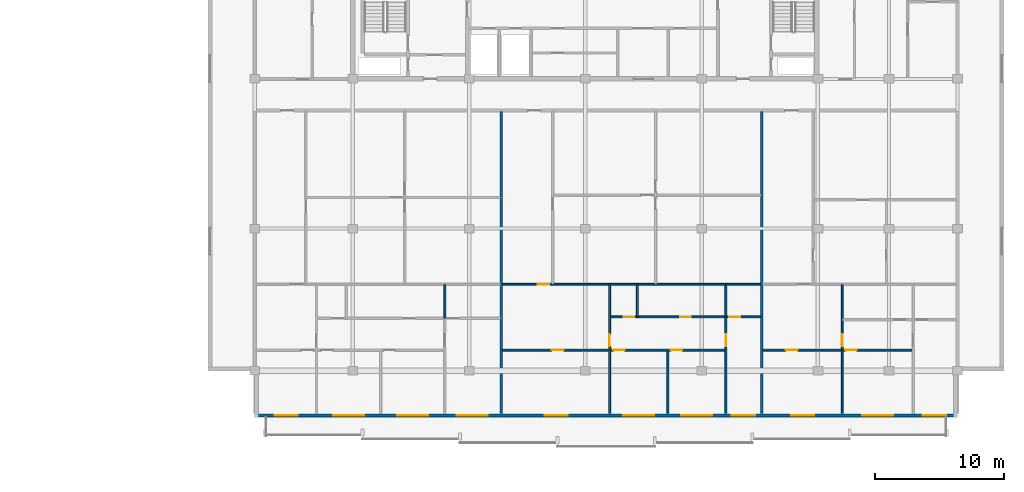
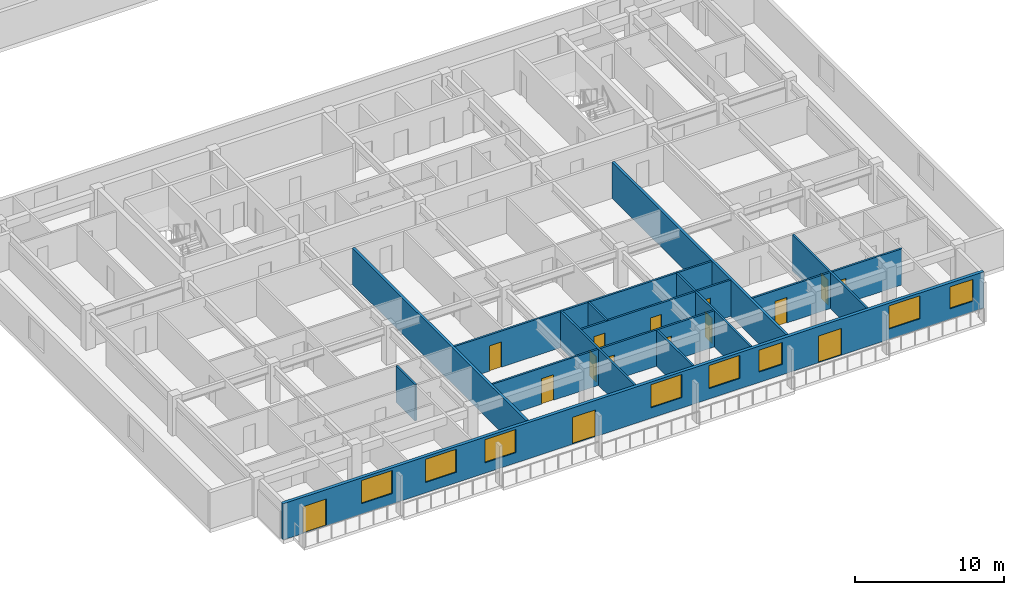
# One storey, part 5 of 23: 15 doors, 14 walls, 8 windows, 23 openings.
"""IFC4 building model written with IfcOpenShell, lengths in metres."""

from ifc_helpers import new_model, si_unit, direction, frame, frame_2d, origin, place, context, subcontext, project, spatial, rectangle, extrude, material, layer, layer_set, type_object, element, fill, save


model = new_model("IFC4")

# Units and contexts
model_context = context("Model", 3, precision=1e-05, world=origin(), true_north=direction((0.0, 1.0)))
body_context = subcontext(model_context, "Body", "Model", "MODEL_VIEW")
ifc_project = project(units=[si_unit("LENGTHUNIT", "METRE"), si_unit("AREAUNIT", "SQUARE_METRE"), si_unit("VOLUMEUNIT", "CUBIC_METRE"), si_unit("PLANEANGLEUNIT", "RADIAN"), si_unit("MASSUNIT", "GRAM", prefix="KILO")], contexts=[model_context])

# Site, building, storey
site_placement = place(None, origin())
site = spatial("IfcSite", under=ifc_project, at=site_placement, CompositionType="ELEMENT")
building_placement = place(site_placement, origin())
building = spatial("IfcBuilding", under=site, at=building_placement, Name="Korimba Cascade Residences", CompositionType="ELEMENT")
storey_placement = place(building_placement, frame((0.0, 0.0, 162.10009765625)))
storey = spatial("IfcBuildingStorey", under=building, at=storey_placement, Name="L46", CompositionType="ELEMENT", Elevation=162.10009765625)

# Wall, openings, doors, windows
ifc_material_1 = material(Name="Precast concrete C40/50", Category="concrete")
ifc_layer_1 = layer(ifc_material_1, 0.25)
ifc_layer_set_1 = layer_set([ifc_layer_1], Name="Precast concrete C40/50")
wall_type_1 = type_object("IfcWallType", Name="EW-LOG-250", PredefinedType="STANDARD", material=ifc_layer_set_1)
wall_1_placement = place(storey_placement, frame((74.5, -7.64990234375, 0.0), z_axis=(0.0, 0.0, 1.0), x_axis=(1.0, 0.0, 0.0)))
wall_1 = element("IfcWall", 1, at=wall_1_placement, inside=storey, type_object=wall_type_1, Name="L46 T2 Perimeter Stone Wall E00", PredefinedType="STANDARD", context=body_context, shape_type="SweptSolid", body=[
    extrude(rectangle(XDim=54.39990234375, YDim=0.25, at=frame_2d((27.199951171875, 0.0))), origin(), (0.0, 0.0, 1.0), 2.969970703125),
])
opening_1_placement = place(wall_1_placement, frame((6.072509765625, 0.0, 0.85009765625)))
opening_1 = element("IfcOpeningElement", 2, at=opening_1_placement, cuts=wall_1, Name="Opening W-01", PredefinedType="OPENING", context=body_context, shape_type="SweptSolid", body=[
    extrude(rectangle(XDim=2.39990234375, YDim=1.89990234375, at=frame_2d((1.199951171875, 0.949951171875))), frame((0.0, 0.135009765625, 0.0), z_axis=(0.0, -1.0, 0.0), x_axis=(1.0, 0.0, 0.0)), (0.0, 0.0, 1.0), 0.27001953125),
])
opening_2_placement = place(wall_1_placement, frame((11.03759765625, 0.0, 0.85009765625)))
opening_2 = element("IfcOpeningElement", 3, at=opening_2_placement, cuts=wall_1, Name="Opening W-01", PredefinedType="OPENING", context=body_context, shape_type="SweptSolid", body=[
    extrude(rectangle(XDim=2.39990234375, YDim=1.89990234375, at=frame_2d((1.199951171875, 0.949951171875))), frame((0.0, 0.135009765625, 0.0), z_axis=(0.0, -1.0, 0.0), x_axis=(1.0, 0.0, 0.0)), (0.0, 0.0, 1.0), 0.27001953125),
])
opening_3_placement = place(wall_1_placement, frame((1.554931640625, 0.0, 0.0)))
opening_3 = element("IfcOpeningElement", 4, at=opening_3_placement, cuts=wall_1, Name="Opening D-LG1", PredefinedType="OPENING", context=body_context, shape_type="SweptSolid", body=[
    extrude(rectangle(XDim=1.800048828125, YDim=2.199951171875, at=frame_2d((0.89990234375, 1.10009765625))), frame((0.0, 0.135009765625, 0.0), z_axis=(0.0, -1.0, 0.0), x_axis=(1.0, 0.0, 0.0)), (0.0, 0.0, 1.0), 0.27001953125),
])
opening_4_placement = place(wall_1_placement, frame((15.649658203125, 0.0, 0.85009765625)))
opening_4 = element("IfcOpeningElement", 5, at=opening_4_placement, cuts=wall_1, Name="Opening W-01", PredefinedType="OPENING", context=body_context, shape_type="SweptSolid", body=[
    extrude(rectangle(XDim=2.39990234375, YDim=1.89990234375, at=frame_2d((1.199951171875, 0.949951171875))), frame((0.0, 0.135009765625, 0.0), z_axis=(0.0, -1.0, 0.0), x_axis=(1.0, 0.0, 0.0)), (0.0, 0.0, 1.0), 0.27001953125),
])
opening_5_placement = place(wall_1_placement, frame((28.530029296875, 0.0, 0.85009765625)))
opening_5 = element("IfcOpeningElement", 6, at=opening_5_placement, cuts=wall_1, Name="Opening W-01", PredefinedType="OPENING", context=body_context, shape_type="SweptSolid", body=[
    extrude(rectangle(XDim=2.39990234375, YDim=1.89990234375, at=frame_2d((1.199951171875, 0.949951171875))), frame((0.0, 0.135009765625, 0.0), z_axis=(0.0, -1.0, 0.0), x_axis=(1.0, 0.0, 0.0)), (0.0, 0.0, 1.0), 0.27001953125),
])
opening_6_placement = place(wall_1_placement, frame((33.030029296875, 0.0, 0.85009765625)))
opening_6 = element("IfcOpeningElement", 7, at=opening_6_placement, cuts=wall_1, Name="Opening W-01", PredefinedType="OPENING", context=body_context, shape_type="SweptSolid", body=[
    extrude(rectangle(XDim=2.39990234375, YDim=1.89990234375, at=frame_2d((1.199951171875, 0.949951171875))), frame((0.0, 0.135009765625, 0.0), z_axis=(0.0, -1.0, 0.0), x_axis=(1.0, 0.0, 0.0)), (0.0, 0.0, 1.0), 0.27001953125),
])
opening_7_placement = place(wall_1_placement, frame((22.44970703125, 0.0, 0.0)))
opening_7 = element("IfcOpeningElement", 8, at=opening_7_placement, cuts=wall_1, Name="Opening D-LG1", PredefinedType="OPENING", context=body_context, shape_type="SweptSolid", body=[
    extrude(rectangle(XDim=1.800048828125, YDim=2.199951171875, at=frame_2d((0.89990234375, 1.10009765625))), frame((0.0, 0.135009765625, 0.0), z_axis=(0.0, -1.0, 0.0), x_axis=(1.0, 0.0, 0.0)), (0.0, 0.0, 1.0), 0.27001953125),
])
opening_8_placement = place(wall_1_placement, frame((36.935302734375, 0.0, 0.85009765625)))
opening_8 = element("IfcOpeningElement", 9, at=opening_8_placement, cuts=wall_1, Name="Opening W-02", PredefinedType="OPENING", context=body_context, shape_type="SweptSolid", body=[
    extrude(rectangle(XDim=1.800048828125, YDim=1.800048828125, at=frame_2d((0.89990234375, 0.89990234375))), frame((0.0, 0.135009765625, 0.0), z_axis=(0.0, -1.0, 0.0), x_axis=(1.0, 0.0, 0.0)), (0.0, 0.0, 1.0), 0.27001953125),
])
opening_9_placement = place(wall_1_placement, frame((47.030029296875, 0.0, 0.85009765625)))
opening_9 = element("IfcOpeningElement", 10, at=opening_9_placement, cuts=wall_1, Name="Opening W-01", PredefinedType="OPENING", context=body_context, shape_type="SweptSolid", body=[
    extrude(rectangle(XDim=2.39990234375, YDim=1.89990234375, at=frame_2d((1.199951171875, 0.949951171875))), frame((0.0, 0.135009765625, 0.0), z_axis=(0.0, -1.0, 0.0), x_axis=(1.0, 0.0, 0.0)), (0.0, 0.0, 1.0), 0.27001953125),
])
opening_10_placement = place(wall_1_placement, frame((41.5302734375, 0.0, 0.0)))
opening_10 = element("IfcOpeningElement", 11, at=opening_10_placement, cuts=wall_1, Name="Opening D-LG1", PredefinedType="OPENING", context=body_context, shape_type="SweptSolid", body=[
    extrude(rectangle(XDim=1.800048828125, YDim=2.199951171875, at=frame_2d((0.89990234375, 1.10009765625))), frame((0.0, 0.135009765625, 0.0), z_axis=(0.0, -1.0, 0.0), x_axis=(1.0, 0.0, 0.0)), (0.0, 0.0, 1.0), 0.27001953125),
])
opening_11_placement = place(wall_1_placement, frame((51.72998046875, 0.0, 0.85009765625)))
opening_11 = element("IfcOpeningElement", 12, at=opening_11_placement, cuts=wall_1, Name="Opening W-02", PredefinedType="OPENING", context=body_context, shape_type="SweptSolid", body=[
    extrude(rectangle(XDim=1.800048828125, YDim=1.800048828125, at=frame_2d((0.89990234375, 0.89990234375))), frame((0.0, 0.135009765625, 0.0), z_axis=(0.0, -1.0, 0.0), x_axis=(1.0, 0.0, 0.0)), (0.0, 0.0, 1.0), 0.27001953125),
])
ifc_material_2 = material(Name="Glazed Aluminium Loggia Sliding Door", Category="aluminium")
door_type_1 = type_object("IfcDoorType", Name="DR-EXT-LOG", OperationType="NOTDEFINED", PredefinedType="DOOR", material=ifc_material_2)
door_1_placement = place(opening_3_placement, origin())
door_1 = element("IfcDoor", 13, at=door_1_placement, inside=storey, type_object=door_type_1, Name="L46 T2 Loggia Sliding Door 5", OperationType="SLIDING_TO_RIGHT", OverallHeight=2.199951171875, OverallWidth=1.800048828125, PredefinedType="DOOR", context=body_context, shape_type="SweptSolid", body=[
    extrude(rectangle(XDim=1.800048828125, YDim=2.199951171875, at=frame_2d((0.89990234375, 1.10009765625))), frame((0.0, 0.02490234375, 0.0), z_axis=(0.0, -1.0, 0.0), x_axis=(1.0, 0.0, 0.0)), (0.0, 0.0, 1.0), 0.050048828125),
])
fill(opening_3, door_1)
door_2_placement = place(opening_7_placement, origin())
door_2 = element("IfcDoor", 14, at=door_2_placement, inside=storey, type_object=door_type_1, Name="L46 T2 Loggia Sliding Door 9", OperationType="SLIDING_TO_RIGHT", OverallHeight=2.199951171875, OverallWidth=1.800048828125, PredefinedType="DOOR", context=body_context, shape_type="SweptSolid", body=[
    extrude(rectangle(XDim=1.800048828125, YDim=2.199951171875, at=frame_2d((0.89990234375, 1.10009765625))), frame((0.0, 0.02490234375, 0.0), z_axis=(0.0, -1.0, 0.0), x_axis=(1.0, 0.0, 0.0)), (0.0, 0.0, 1.0), 0.050048828125),
])
fill(opening_7, door_2)
door_3_placement = place(opening_10_placement, origin())
door_3 = element("IfcDoor", 15, at=door_3_placement, inside=storey, type_object=door_type_1, Name="L46 T2 Loggia Sliding Door 12", OperationType="SLIDING_TO_RIGHT", OverallHeight=2.199951171875, OverallWidth=1.800048828125, PredefinedType="DOOR", context=body_context, shape_type="SweptSolid", body=[
    extrude(rectangle(XDim=1.800048828125, YDim=2.199951171875, at=frame_2d((0.89990234375, 1.10009765625))), frame((0.0, 0.02490234375, 0.0), z_axis=(0.0, -1.0, 0.0), x_axis=(1.0, 0.0, 0.0)), (0.0, 0.0, 1.0), 0.050048828125),
])
fill(opening_10, door_3)
ifc_material_3 = material(Name="Double-Glazed Aluminium Window", Category="aluminium")
window_type_1 = type_object("IfcWindowType", Name="WIN-BED-1800", PartitioningType="SINGLE_PANEL", PredefinedType="WINDOW", material=ifc_material_3)
window_1_placement = place(opening_8_placement, origin())
window_1 = element("IfcWindow", 16, at=window_1_placement, inside=storey, type_object=window_type_1, Name="L46 T2 South Facade Window 10", OverallHeight=1.800048828125, OverallWidth=1.800048828125, PartitioningType="SINGLE_PANEL", PredefinedType="WINDOW", context=body_context, shape_type="SweptSolid", body=[
    extrude(rectangle(XDim=1.800048828125, YDim=1.800048828125, at=frame_2d((0.89990234375, 0.89990234375))), frame((0.0, 0.030029296875, 0.0), z_axis=(0.0, -1.0, 0.0), x_axis=(1.0, 0.0, 0.0)), (0.0, 0.0, 1.0), 0.06005859375),
])
fill(opening_8, window_1)
window_2_placement = place(opening_11_placement, origin())
window_2 = element("IfcWindow", 17, at=window_2_placement, inside=storey, type_object=window_type_1, Name="L46 T2 South Facade Window 13", OverallHeight=1.800048828125, OverallWidth=1.800048828125, PartitioningType="SINGLE_PANEL", PredefinedType="WINDOW", context=body_context, shape_type="SweptSolid", body=[
    extrude(rectangle(XDim=1.800048828125, YDim=1.800048828125, at=frame_2d((0.89990234375, 0.89990234375))), frame((0.0, 0.030029296875, 0.0), z_axis=(0.0, -1.0, 0.0), x_axis=(1.0, 0.0, 0.0)), (0.0, 0.0, 1.0), 0.06005859375),
])
fill(opening_11, window_2)
window_type_2 = type_object("IfcWindowType", Name="WIN-RES-2400", PartitioningType="DOUBLE_PANEL_VERTICAL", PredefinedType="WINDOW", material=ifc_material_3)
window_3_placement = place(opening_1_placement, origin())
window_3 = element("IfcWindow", 18, at=window_3_placement, inside=storey, type_object=window_type_2, Name="L46 T2 South Facade Window 3", OverallHeight=1.89990234375, OverallWidth=2.39990234375, PartitioningType="DOUBLE_PANEL_VERTICAL", PredefinedType="WINDOW", context=body_context, shape_type="SweptSolid", body=[
    extrude(rectangle(XDim=2.39990234375, YDim=1.89990234375, at=frame_2d((1.199951171875, 0.949951171875))), frame((0.0, 0.030029296875, 0.0), z_axis=(0.0, -1.0, 0.0), x_axis=(1.0, 0.0, 0.0)), (0.0, 0.0, 1.0), 0.06005859375),
])
fill(opening_1, window_3)
window_4_placement = place(opening_2_placement, origin())
window_4 = element("IfcWindow", 19, at=window_4_placement, inside=storey, type_object=window_type_2, Name="L46 T2 South Facade Window 4", OverallHeight=1.89990234375, OverallWidth=2.39990234375, PartitioningType="DOUBLE_PANEL_VERTICAL", PredefinedType="WINDOW", context=body_context, shape_type="SweptSolid", body=[
    extrude(rectangle(XDim=2.39990234375, YDim=1.89990234375, at=frame_2d((1.199951171875, 0.949951171875))), frame((0.0, 0.030029296875, 0.0), z_axis=(0.0, -1.0, 0.0), x_axis=(1.0, 0.0, 0.0)), (0.0, 0.0, 1.0), 0.06005859375),
])
fill(opening_2, window_4)
window_5_placement = place(opening_4_placement, origin())
window_5 = element("IfcWindow", 20, at=window_5_placement, inside=storey, type_object=window_type_2, Name="L46 T2 South Facade Window 6", OverallHeight=1.89990234375, OverallWidth=2.39990234375, PartitioningType="DOUBLE_PANEL_VERTICAL", PredefinedType="WINDOW", context=body_context, shape_type="SweptSolid", body=[
    extrude(rectangle(XDim=2.39990234375, YDim=1.89990234375, at=frame_2d((1.199951171875, 0.949951171875))), frame((0.0, 0.030029296875, 0.0), z_axis=(0.0, -1.0, 0.0), x_axis=(1.0, 0.0, 0.0)), (0.0, 0.0, 1.0), 0.06005859375),
])
fill(opening_4, window_5)
window_6_placement = place(opening_5_placement, origin())
window_6 = element("IfcWindow", 21, at=window_6_placement, inside=storey, type_object=window_type_2, Name="L46 T2 South Facade Window 7", OverallHeight=1.89990234375, OverallWidth=2.39990234375, PartitioningType="DOUBLE_PANEL_VERTICAL", PredefinedType="WINDOW", context=body_context, shape_type="SweptSolid", body=[
    extrude(rectangle(XDim=2.39990234375, YDim=1.89990234375, at=frame_2d((1.199951171875, 0.949951171875))), frame((0.0, 0.030029296875, 0.0), z_axis=(0.0, -1.0, 0.0), x_axis=(1.0, 0.0, 0.0)), (0.0, 0.0, 1.0), 0.06005859375),
])
fill(opening_5, window_6)
window_7_placement = place(opening_6_placement, origin())
window_7 = element("IfcWindow", 22, at=window_7_placement, inside=storey, type_object=window_type_2, Name="L46 T2 South Facade Window 8", OverallHeight=1.89990234375, OverallWidth=2.39990234375, PartitioningType="DOUBLE_PANEL_VERTICAL", PredefinedType="WINDOW", context=body_context, shape_type="SweptSolid", body=[
    extrude(rectangle(XDim=2.39990234375, YDim=1.89990234375, at=frame_2d((1.199951171875, 0.949951171875))), frame((0.0, 0.030029296875, 0.0), z_axis=(0.0, -1.0, 0.0), x_axis=(1.0, 0.0, 0.0)), (0.0, 0.0, 1.0), 0.06005859375),
])
fill(opening_6, window_7)
window_8_placement = place(opening_9_placement, origin())
window_8 = element("IfcWindow", 23, at=window_8_placement, inside=storey, type_object=window_type_2, Name="L46 T2 South Facade Window 11", OverallHeight=1.89990234375, OverallWidth=2.39990234375, PartitioningType="DOUBLE_PANEL_VERTICAL", PredefinedType="WINDOW", context=body_context, shape_type="SweptSolid", body=[
    extrude(rectangle(XDim=2.39990234375, YDim=1.89990234375, at=frame_2d((1.199951171875, 0.949951171875))), frame((0.0, 0.030029296875, 0.0), z_axis=(0.0, -1.0, 0.0), x_axis=(1.0, 0.0, 0.0)), (0.0, 0.0, 1.0), 0.06005859375),
])
fill(opening_9, window_8)

# Walls
ifc_layer_2 = layer(ifc_material_1, 0.199951171875)
ifc_layer_set_2 = layer_set([ifc_layer_2], Name="Precast concrete C40/50")
wall_type_2 = type_object("IfcWallType", Name="WAL-IT-200", PredefinedType="PARTITIONING", material=ifc_layer_set_2)
for number, where, z_axis, x_axis, name in (
    (24, (93.59912109375, -7.5, 0.0), (0.0, 0.0, 1.0), (0.0, 1.0, 0.0), "L46 Partition Wall WAL-L46-T2-DEM-1"),
    (25, (113.760498046875, -7.5, 0.0), (0.0, 0.0, 1.0), (0.0, 1.0, 0.0), "L46 Partition Wall WAL-L46-T2-DEM-2"),
):
    element("IfcWall", number, at=place(storey_placement, frame(where, z_axis=z_axis, x_axis=x_axis)), inside=storey, type_object=wall_type_2, Name=name, PredefinedType="PARTITIONING", context=body_context, shape_type="SweptSolid", body=[
        extrude(rectangle(XDim=23.3701171875, YDim=0.199951171875, at=frame_2d((11.68505859375, 0.0))), origin(), (0.0, 0.0, 1.0), 2.969970703125),
    ])
ifc_material_4 = material(Name="Insulated Acoustic Stud Partition", Category="gypsum")
ifc_layer_3 = layer(ifc_material_4, 0.14990234375)
ifc_layer_set_3 = layer_set([ifc_layer_3], Name="Insulated Acoustic Stud Partition")
wall_type_3 = type_object("IfcWallType", Name="WAL-PART-150", PredefinedType="PARTITIONING", material=ifc_layer_set_3)
wall_2_placement = place(storey_placement, frame((89.219970703125, -0.1201171875, 0.0), z_axis=(0.0, 0.0, 1.0), x_axis=(0.0, 1.0, 0.0)))
element("IfcWall", 26, at=wall_2_placement, inside=storey, type_object=wall_type_3, Name="L46 Partition Wall WAL-L46-T2-U01-VBATH", PredefinedType="PARTITIONING", context=body_context, shape_type="SweptSolid", body=[
    extrude(rectangle(XDim=2.580078125, YDim=0.14990234375, at=frame_2d((1.2900390625, 0.0))), origin(), (0.0, 0.0, 1.0), 2.969970703125),
])
wall_3_placement = place(storey_placement, frame((104.1298828125, -0.010009765625, 0.0), z_axis=(0.0, 0.0, 1.0), x_axis=(0.0, 1.0, 0.0)))
element("IfcWall", 27, at=wall_3_placement, inside=storey, type_object=wall_type_3, Name="L46 Partition Wall WAL-L46-T2-U02-VDRS", PredefinedType="PARTITIONING", context=body_context, shape_type="SweptSolid", body=[
    extrude(rectangle(XDim=2.469970703125, YDim=0.14990234375, at=frame_2d((1.23486328125, 0.0))), origin(), (0.0, 0.0, 1.0), 2.969970703125),
])
wall_4_placement = place(storey_placement, frame((106.47998046875, -7.5, 0.0), z_axis=(0.0, 0.0, 1.0), x_axis=(0.0, 1.0, 0.0)))
element("IfcWall", 28, at=wall_4_placement, inside=storey, type_object=wall_type_3, Name="L46 Partition Wall WAL-L46-T2-U02-VB3", PredefinedType="PARTITIONING", context=body_context, shape_type="SweptSolid", body=[
    extrude(rectangle(XDim=4.820068359375, YDim=0.14990234375, at=frame_2d((2.41015625, 0.0))), origin(), (0.0, 0.0, 1.0), 2.969970703125),
])

# Wall, opening, door
wall_5_placement = place(storey_placement, frame((101.97998046875, -7.5, 0.0), z_axis=(0.0, 0.0, 1.0), x_axis=(0.0, 1.0, 0.0)))
wall_5 = element("IfcWall", 29, at=wall_5_placement, inside=storey, type_object=wall_type_3, Name="L46 Partition Wall WAL-L46-T2-U02-V1", PredefinedType="PARTITIONING", context=body_context, shape_type="SweptSolid", body=[
    extrude(rectangle(XDim=9.9599609375, YDim=0.14990234375, at=frame_2d((4.97998046875, 0.0))), origin(), (0.0, 0.0, 1.0), 2.969970703125),
])
opening_12_placement = place(wall_5_placement, frame((5.219970703125, 0.0, 0.0)))
opening_12 = element("IfcOpeningElement", 30, at=opening_12_placement, cuts=wall_5, Name="Opening D-IN1", PredefinedType="OPENING", context=body_context, shape_type="SweptSolid", body=[
    extrude(rectangle(XDim=0.919921875, YDim=2.080078125, at=frame_2d((0.4599609375, 1.0400390625))), frame((0.0, 0.0849609375, 0.0), z_axis=(0.0, -1.0, 0.0), x_axis=(1.0, 0.0, 0.0)), (0.0, 0.0, 1.0), 0.169921875),
])
ifc_material_5 = material(Name="Acoustic Timber Living Door", Category="wood")
door_type_2 = type_object("IfcDoorType", Name="DR-INT-920", OperationType="NOTDEFINED", PredefinedType="DOOR", material=ifc_material_5)
door_4_placement = place(opening_12_placement, origin())
door_4 = element("IfcDoor", 31, at=door_4_placement, inside=storey, type_object=door_type_2, Name="L46-T2-U02 Hallway Door", OperationType="SINGLE_SWING_LEFT", OverallHeight=2.080078125, OverallWidth=0.919921875, PredefinedType="DOOR", context=body_context, shape_type="SweptSolid", body=[
    extrude(rectangle(XDim=0.919921875, YDim=2.080078125, at=frame_2d((0.4599609375, 1.0400390625))), frame((0.0, 0.02490234375, 0.0), z_axis=(0.0, -1.0, 0.0), x_axis=(1.0, 0.0, 0.0)), (0.0, 0.0, 1.0), 0.050048828125),
])
fill(opening_12, door_4)

# Wall
wall_6_placement = place(storey_placement, frame((110.97998046875, -0.010009765625, 0.0), z_axis=(0.0, 0.0, 1.0), x_axis=(0.0, 1.0, 0.0)))
element("IfcWall", 32, at=wall_6_placement, inside=storey, type_object=wall_type_3, Name="L46 Partition Wall WAL-L46-T2-U02-VBATH", PredefinedType="PARTITIONING", context=body_context, shape_type="SweptSolid", body=[
    extrude(rectangle(XDim=2.469970703125, YDim=0.14990234375, at=frame_2d((1.23486328125, 0.0))), origin(), (0.0, 0.0, 1.0), 2.969970703125),
])

# Wall, opening, door
wall_7_placement = place(storey_placement, frame((110.97998046875, -7.5, 0.0), z_axis=(0.0, 0.0, 1.0), x_axis=(0.0, 1.0, 0.0)))
wall_7 = element("IfcWall", 33, at=wall_7_placement, inside=storey, type_object=wall_type_3, Name="L46 Partition Wall WAL-L46-T2-U02-V2FULL", PredefinedType="PARTITIONING", context=body_context, shape_type="SweptSolid", body=[
    extrude(rectangle(XDim=7.449951171875, YDim=0.14990234375, at=frame_2d((3.72509765625, 0.0))), origin(), (0.0, 0.0, 1.0), 2.969970703125),
])
opening_13_placement = place(wall_7_placement, frame((5.219970703125, 0.0, 0.0)))
opening_13 = element("IfcOpeningElement", 34, at=opening_13_placement, cuts=wall_7, Name="Opening D-IN1", PredefinedType="OPENING", context=body_context, shape_type="SweptSolid", body=[
    extrude(rectangle(XDim=0.919921875, YDim=2.080078125, at=frame_2d((0.4599609375, 1.0400390625))), frame((0.0, 0.0849609375, 0.0), z_axis=(0.0, -1.0, 0.0), x_axis=(1.0, 0.0, 0.0)), (0.0, 0.0, 1.0), 0.169921875),
])
door_5_placement = place(opening_13_placement, origin())
door_5 = element("IfcDoor", 35, at=door_5_placement, inside=storey, type_object=door_type_2, Name="L46-T2-U02 Master Bedroom Door", OperationType="SINGLE_SWING_RIGHT", OverallHeight=2.080078125, OverallWidth=0.919921875, PredefinedType="DOOR", context=body_context, shape_type="SweptSolid", body=[
    extrude(rectangle(XDim=0.919921875, YDim=2.080078125, at=frame_2d((0.4599609375, 1.0400390625))), frame((0.0, 0.02490234375, 0.0), z_axis=(0.0, -1.0, 0.0), x_axis=(1.0, 0.0, 0.0)), (0.0, 0.0, 1.0), 0.050048828125),
])
fill(opening_13, door_5)

# Wall, openings, doors
wall_8_placement = place(storey_placement, frame((102.02001953125, -0.030029296875, 0.0), z_axis=(0.0, 0.0, 1.0), x_axis=(1.0, 0.0, 0.0)))
wall_8 = element("IfcWall", 36, at=wall_8_placement, inside=storey, type_object=wall_type_3, Name="L46 Partition Wall WAL-L46-T2-U02-HWALL", PredefinedType="PARTITIONING", context=body_context, shape_type="SweptSolid", body=[
    extrude(rectangle(XDim=11.660400390625, YDim=0.14990234375, at=frame_2d((5.830078125, 0.0))), origin(), (0.0, 0.0, 1.0), 2.969970703125),
])
opening_14_placement = place(wall_8_placement, frame((1.033935546875, 0.0, 0.0)))
opening_14 = element("IfcOpeningElement", 37, at=opening_14_placement, cuts=wall_8, Name="Opening D-BT1", PredefinedType="OPENING", context=body_context, shape_type="SweptSolid", body=[
    extrude(rectangle(XDim=0.840087890625, YDim=2.0400390625, at=frame_2d((0.419921875, 1.02001953125))), frame((0.0, 0.0849609375, 0.0), z_axis=(0.0, -1.0, 0.0), x_axis=(1.0, 0.0, 0.0)), (0.0, 0.0, 1.0), 0.169921875),
])
opening_15_placement = place(wall_8_placement, frame((5.41015625, 0.0, 0.0)))
opening_15 = element("IfcOpeningElement", 38, at=opening_15_placement, cuts=wall_8, Name="Opening D-BT1", PredefinedType="OPENING", context=body_context, shape_type="SweptSolid", body=[
    extrude(rectangle(XDim=0.840087890625, YDim=2.0400390625, at=frame_2d((0.419921875, 1.02001953125))), frame((0.0, 0.0849609375, 0.0), z_axis=(0.0, -1.0, 0.0), x_axis=(1.0, 0.0, 0.0)), (0.0, 0.0, 1.0), 0.169921875),
])
opening_16_placement = place(wall_8_placement, frame((9.2099609375, 0.0, 0.0)))
opening_16 = element("IfcOpeningElement", 39, at=opening_16_placement, cuts=wall_8, Name="Opening D-BT1", PredefinedType="OPENING", context=body_context, shape_type="SweptSolid", body=[
    extrude(rectangle(XDim=0.840087890625, YDim=2.0400390625, at=frame_2d((0.419921875, 1.02001953125))), frame((0.0, 0.0849609375, 0.0), z_axis=(0.0, -1.0, 0.0), x_axis=(1.0, 0.0, 0.0)), (0.0, 0.0, 1.0), 0.169921875),
])
ifc_material_6 = material(Name="Moisture-Resistant Bathroom Timber Door", Category="wood")
door_type_3 = type_object("IfcDoorType", Name="DR-INT-850", OperationType="NOTDEFINED", PredefinedType="DOOR", material=ifc_material_6)
door_6_placement = place(opening_14_placement, origin())
door_6 = element("IfcDoor", 40, at=door_6_placement, inside=storey, type_object=door_type_3, Name="L46-T2-U02 Family Bathroom Door", OperationType="SINGLE_SWING_LEFT", OverallHeight=2.0400390625, OverallWidth=0.840087890625, PredefinedType="DOOR", context=body_context, shape_type="SweptSolid", body=[
    extrude(rectangle(XDim=0.840087890625, YDim=2.0400390625, at=frame_2d((0.419921875, 1.02001953125))), frame((0.0, 0.02490234375, 0.0), z_axis=(0.0, -1.0, 0.0), x_axis=(1.0, 0.0, 0.0)), (0.0, 0.0, 1.0), 0.050048828125),
])
fill(opening_14, door_6)
door_7_placement = place(opening_15_placement, origin())
door_7 = element("IfcDoor", 41, at=door_7_placement, inside=storey, type_object=door_type_3, Name="L46-T2-U02 Dressing Room Door", OperationType="SINGLE_SWING_RIGHT", OverallHeight=2.0400390625, OverallWidth=0.840087890625, PredefinedType="DOOR", context=body_context, shape_type="SweptSolid", body=[
    extrude(rectangle(XDim=0.840087890625, YDim=2.0400390625, at=frame_2d((0.419921875, 1.02001953125))), frame((0.0, 0.02490234375, 0.0), z_axis=(0.0, -1.0, 0.0), x_axis=(1.0, 0.0, 0.0)), (0.0, 0.0, 1.0), 0.050048828125),
])
fill(opening_15, door_7)
door_8_placement = place(opening_16_placement, origin())
door_8 = element("IfcDoor", 42, at=door_8_placement, inside=storey, type_object=door_type_3, Name="L46-T2-U02 En-Suite Door", OperationType="SINGLE_SWING_LEFT", OverallHeight=2.0400390625, OverallWidth=0.840087890625, PredefinedType="DOOR", context=body_context, shape_type="SweptSolid", body=[
    extrude(rectangle(XDim=0.840087890625, YDim=2.0400390625, at=frame_2d((0.419921875, 1.02001953125))), frame((0.0, 0.02490234375, 0.0), z_axis=(0.0, -1.0, 0.0), x_axis=(1.0, 0.0, 0.0)), (0.0, 0.0, 1.0), 0.050048828125),
])
fill(opening_16, door_8)

# Wall, opening, door
wall_9_placement = place(storey_placement, frame((93.67919921875, 2.5, 0.0), z_axis=(0.0, 0.0, 1.0), x_axis=(1.0, 0.0, 0.0)))
wall_9 = element("IfcWall", 43, at=wall_9_placement, inside=storey, type_object=wall_type_3, Name="L46 Partition Wall WAL-L46-T2-U02-MW", PredefinedType="PARTITIONING", context=body_context, shape_type="SweptSolid", body=[
    extrude(rectangle(XDim=20.001220703125, YDim=0.14990234375, at=frame_2d((10.00048828125, 0.0))), origin(), (0.0, 0.0, 1.0), 2.969970703125),
])
opening_17_placement = place(wall_9_placement, frame((2.719970703125, 0.0, 0.0)))
opening_17 = element("IfcOpeningElement", 44, at=opening_17_placement, cuts=wall_9, Name="Opening D-IN1", PredefinedType="OPENING", context=body_context, shape_type="SweptSolid", body=[
    extrude(rectangle(XDim=0.919921875, YDim=2.080078125, at=frame_2d((0.4599609375, 1.0400390625))), frame((0.0, 0.0849609375, 0.0), z_axis=(0.0, -1.0, 0.0), x_axis=(1.0, 0.0, 0.0)), (0.0, 0.0, 1.0), 0.169921875),
])
door_9_placement = place(opening_17_placement, origin())
door_9 = element("IfcDoor", 45, at=door_9_placement, inside=storey, type_object=door_type_2, Name="L46-T2-U02 Kitchen Door", OperationType="SINGLE_SWING_RIGHT", OverallHeight=2.080078125, OverallWidth=0.919921875, PredefinedType="DOOR", context=body_context, shape_type="SweptSolid", body=[
    extrude(rectangle(XDim=0.919921875, YDim=2.080078125, at=frame_2d((0.4599609375, 1.0400390625))), frame((0.0, 0.02490234375, 0.0), z_axis=(0.0, -1.0, 0.0), x_axis=(1.0, 0.0, 0.0)), (0.0, 0.0, 1.0), 0.050048828125),
])
fill(opening_17, door_9)

# Wall, openings, doors
wall_10_placement = place(storey_placement, frame((93.67919921875, -2.60009765625, 0.0), z_axis=(0.0, 0.0, 1.0), x_axis=(1.0, 0.0, 0.0)))
wall_10 = element("IfcWall", 46, at=wall_10_placement, inside=storey, type_object=wall_type_3, Name="L46 Partition Wall WAL-L46-T2-U02-HZ", PredefinedType="PARTITIONING", context=body_context, shape_type="SweptSolid", body=[
    extrude(rectangle(XDim=17.30078125, YDim=0.14990234375, at=frame_2d((8.650390625, 0.0))), origin(), (0.0, 0.0, 1.0), 2.969970703125),
])
opening_18_placement = place(wall_10_placement, frame((3.817626953125, 0.0, 0.0)))
opening_18 = element("IfcOpeningElement", 47, at=opening_18_placement, cuts=wall_10, Name="Opening D-IN0", PredefinedType="OPENING", context=body_context, shape_type="SweptSolid", body=[
    extrude(rectangle(XDim=0.93994140625, YDim=2.10009765625, at=frame_2d((0.469970703125, 1.050048828125))), frame((0.0, 0.0849609375, 0.0), z_axis=(0.0, -1.0, 0.0), x_axis=(1.0, 0.0, 0.0)), (0.0, 0.0, 1.0), 0.169921875),
])
opening_19_placement = place(wall_10_placement, frame((8.58447265625, 0.0, 0.0)))
opening_19 = element("IfcOpeningElement", 48, at=opening_19_placement, cuts=wall_10, Name="Opening D-IN2", PredefinedType="OPENING", context=body_context, shape_type="SweptSolid", body=[
    extrude(rectangle(XDim=0.8798828125, YDim=2.06005859375, at=frame_2d((0.43994140625, 1.030029296875))), frame((0.0, 0.0849609375, 0.0), z_axis=(0.0, -1.0, 0.0), x_axis=(1.0, 0.0, 0.0)), (0.0, 0.0, 1.0), 0.169921875),
])
opening_20_placement = place(wall_10_placement, frame((13.020751953125, 0.0, 0.0)))
opening_20 = element("IfcOpeningElement", 49, at=opening_20_placement, cuts=wall_10, Name="Opening D-IN2", PredefinedType="OPENING", context=body_context, shape_type="SweptSolid", body=[
    extrude(rectangle(XDim=0.8798828125, YDim=2.06005859375, at=frame_2d((0.43994140625, 1.030029296875))), frame((0.0, 0.0849609375, 0.0), z_axis=(0.0, -1.0, 0.0), x_axis=(1.0, 0.0, 0.0)), (0.0, 0.0, 1.0), 0.169921875),
])
ifc_material_7 = material(Name="Acoustic Timber Bedroom Door", Category="wood")
door_type_4 = type_object("IfcDoorType", Name="DR-INT-880", OperationType="NOTDEFINED", PredefinedType="DOOR", material=ifc_material_7)
door_10_placement = place(opening_19_placement, origin())
door_10 = element("IfcDoor", 50, at=door_10_placement, inside=storey, type_object=door_type_4, Name="L46-T2-U02 Bedroom 2 Door", OperationType="SINGLE_SWING_RIGHT", OverallHeight=2.06005859375, OverallWidth=0.8798828125, PredefinedType="DOOR", context=body_context, shape_type="SweptSolid", body=[
    extrude(rectangle(XDim=0.8798828125, YDim=2.06005859375, at=frame_2d((0.43994140625, 1.030029296875))), frame((0.0, 0.02490234375, 0.0), z_axis=(0.0, -1.0, 0.0), x_axis=(1.0, 0.0, 0.0)), (0.0, 0.0, 1.0), 0.050048828125),
])
fill(opening_19, door_10)
door_11_placement = place(opening_20_placement, origin())
door_11 = element("IfcDoor", 51, at=door_11_placement, inside=storey, type_object=door_type_4, Name="L46-T2-U02 Bedroom 3 Door", OperationType="SINGLE_SWING_LEFT", OverallHeight=2.06005859375, OverallWidth=0.8798828125, PredefinedType="DOOR", context=body_context, shape_type="SweptSolid", body=[
    extrude(rectangle(XDim=0.8798828125, YDim=2.06005859375, at=frame_2d((0.43994140625, 1.030029296875))), frame((0.0, 0.02490234375, 0.0), z_axis=(0.0, -1.0, 0.0), x_axis=(1.0, 0.0, 0.0)), (0.0, 0.0, 1.0), 0.050048828125),
])
fill(opening_20, door_11)
ifc_material_8 = material(Name="Acoustic Timber Living Archway Door", Category="wood")
door_type_5 = type_object("IfcDoorType", Name="DR-INT-950", OperationType="NOTDEFINED", PredefinedType="DOOR", material=ifc_material_8)
door_12_placement = place(opening_18_placement, origin())
door_12 = element("IfcDoor", 52, at=door_12_placement, inside=storey, type_object=door_type_5, Name="L46-T2-U02 Living Room Door", OperationType="SINGLE_SWING_LEFT", OverallHeight=2.10009765625, OverallWidth=0.93994140625, PredefinedType="DOOR", context=body_context, shape_type="SweptSolid", body=[
    extrude(rectangle(XDim=0.93994140625, YDim=2.10009765625, at=frame_2d((0.469970703125, 1.050048828125))), frame((0.0, 0.02490234375, 0.0), z_axis=(0.0, -1.0, 0.0), x_axis=(1.0, 0.0, 0.0)), (0.0, 0.0, 1.0), 0.050048828125),
])
fill(opening_18, door_12)

# Wall, opening, door
wall_11_placement = place(storey_placement, frame((119.97998046875, -7.5, 0.0), z_axis=(0.0, 0.0, 1.0), x_axis=(0.0, 1.0, 0.0)))
wall_11 = element("IfcWall", 53, at=wall_11_placement, inside=storey, type_object=wall_type_3, Name="L46 Partition Wall WAL-L46-T2-U03-V1", PredefinedType="PARTITIONING", context=body_context, shape_type="SweptSolid", body=[
    extrude(rectangle(XDim=9.9599609375, YDim=0.14990234375, at=frame_2d((4.97998046875, 0.0))), origin(), (0.0, 0.0, 1.0), 2.969970703125),
])
opening_21_placement = place(wall_11_placement, frame((5.219970703125, 0.0, 0.0)))
opening_21 = element("IfcOpeningElement", 54, at=opening_21_placement, cuts=wall_11, Name="Opening D-IN1", PredefinedType="OPENING", context=body_context, shape_type="SweptSolid", body=[
    extrude(rectangle(XDim=0.919921875, YDim=2.080078125, at=frame_2d((0.4599609375, 1.0400390625))), frame((0.0, 0.0849609375, 0.0), z_axis=(0.0, -1.0, 0.0), x_axis=(1.0, 0.0, 0.0)), (0.0, 0.0, 1.0), 0.169921875),
])
door_13_placement = place(opening_21_placement, origin())
door_13 = element("IfcDoor", 55, at=door_13_placement, inside=storey, type_object=door_type_2, Name="L46-T2-U03 Hallway Door", OperationType="SINGLE_SWING_LEFT", OverallHeight=2.080078125, OverallWidth=0.919921875, PredefinedType="DOOR", context=body_context, shape_type="SweptSolid", body=[
    extrude(rectangle(XDim=0.919921875, YDim=2.080078125, at=frame_2d((0.4599609375, 1.0400390625))), frame((0.0, 0.02490234375, 0.0), z_axis=(0.0, -1.0, 0.0), x_axis=(1.0, 0.0, 0.0)), (0.0, 0.0, 1.0), 0.050048828125),
])
fill(opening_21, door_13)

# Wall, openings, doors
wall_12_placement = place(storey_placement, frame((113.84033203125, -2.60009765625, 0.0), z_axis=(0.0, 0.0, 1.0), x_axis=(1.0, 0.0, 0.0)))
wall_12 = element("IfcWall", 56, at=wall_12_placement, inside=storey, type_object=wall_type_3, Name="L46 Partition Wall WAL-L46-T2-U03-HZ", PredefinedType="PARTITIONING", context=body_context, shape_type="SweptSolid", body=[
    extrude(rectangle(XDim=11.6396484375, YDim=0.14990234375, at=frame_2d((5.81982421875, 0.0))), origin(), (0.0, 0.0, 1.0), 2.969970703125),
])
opening_22_placement = place(wall_12_placement, frame((1.75390625, 0.0, 0.0)))
opening_22 = element("IfcOpeningElement", 57, at=opening_22_placement, cuts=wall_12, Name="Opening D-IN0", PredefinedType="OPENING", context=body_context, shape_type="SweptSolid", body=[
    extrude(rectangle(XDim=0.93994140625, YDim=2.10009765625, at=frame_2d((0.469970703125, 1.050048828125))), frame((0.0, 0.0849609375, 0.0), z_axis=(0.0, -1.0, 0.0), x_axis=(1.0, 0.0, 0.0)), (0.0, 0.0, 1.0), 0.169921875),
])
opening_23_placement = place(wall_12_placement, frame((6.3896484375, 0.0, 0.0)))
opening_23 = element("IfcOpeningElement", 58, at=opening_23_placement, cuts=wall_12, Name="Opening D-IN2", PredefinedType="OPENING", context=body_context, shape_type="SweptSolid", body=[
    extrude(rectangle(XDim=0.8798828125, YDim=2.06005859375, at=frame_2d((0.43994140625, 1.030029296875))), frame((0.0, 0.0849609375, 0.0), z_axis=(0.0, -1.0, 0.0), x_axis=(1.0, 0.0, 0.0)), (0.0, 0.0, 1.0), 0.169921875),
])
door_14_placement = place(opening_23_placement, origin())
door_14 = element("IfcDoor", 59, at=door_14_placement, inside=storey, type_object=door_type_4, Name="L46-T2-U03 Bedroom 2 Door", OperationType="SINGLE_SWING_LEFT", OverallHeight=2.06005859375, OverallWidth=0.8798828125, PredefinedType="DOOR", context=body_context, shape_type="SweptSolid", body=[
    extrude(rectangle(XDim=0.8798828125, YDim=2.06005859375, at=frame_2d((0.43994140625, 1.030029296875))), frame((0.0, 0.02490234375, 0.0), z_axis=(0.0, -1.0, 0.0), x_axis=(1.0, 0.0, 0.0)), (0.0, 0.0, 1.0), 0.050048828125),
])
fill(opening_23, door_14)
door_15_placement = place(opening_22_placement, origin())
door_15 = element("IfcDoor", 60, at=door_15_placement, inside=storey, type_object=door_type_5, Name="L46-T2-U03 Living Room Door", OperationType="SINGLE_SWING_RIGHT", OverallHeight=2.10009765625, OverallWidth=0.93994140625, PredefinedType="DOOR", context=body_context, shape_type="SweptSolid", body=[
    extrude(rectangle(XDim=0.93994140625, YDim=2.10009765625, at=frame_2d((0.469970703125, 1.050048828125))), frame((0.0, 0.02490234375, 0.0), z_axis=(0.0, -1.0, 0.0), x_axis=(1.0, 0.0, 0.0)), (0.0, 0.0, 1.0), 0.050048828125),
])
fill(opening_22, door_15)

save(model, "model.ifc")
